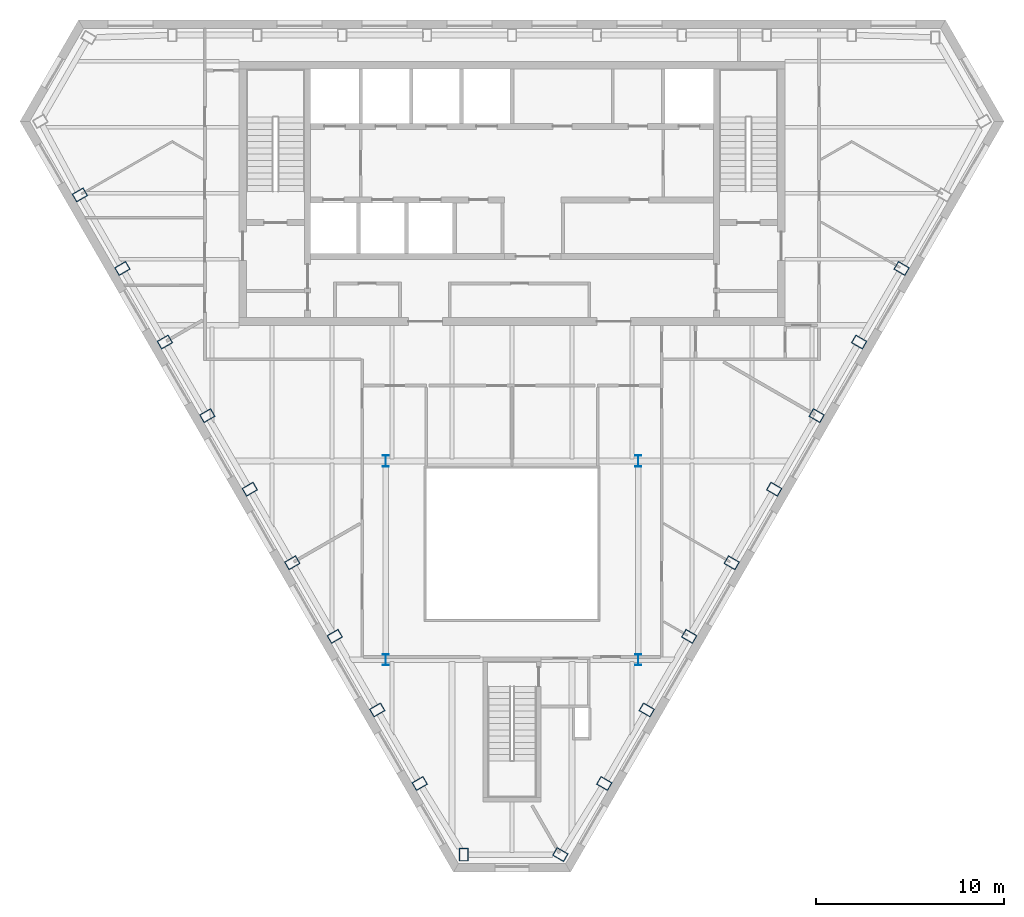
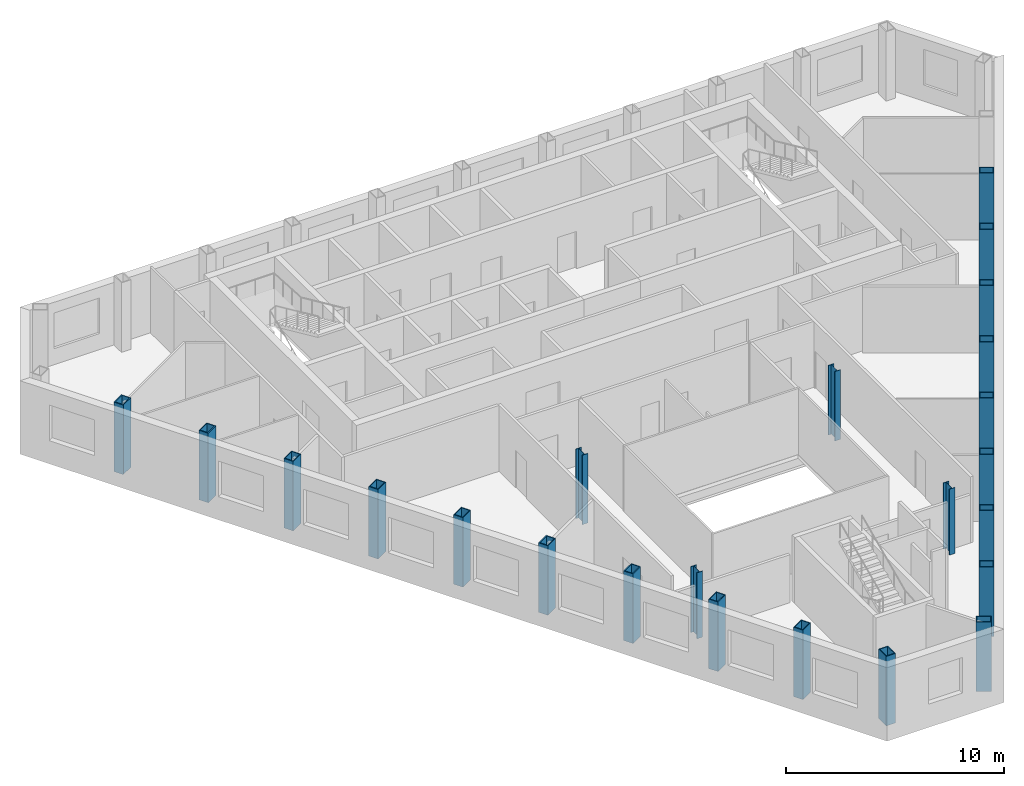
# One storey, part 1 of 10: 23 columns.
"""IFC4 building model written with IfcOpenShell, lengths in metres."""

from ifc_helpers import new_model, si_unit, direction, frame, origin, origin_2d, place, context, subcontext, project, spatial, hollow_rectangle, i_section, extrude, material, material_profile, profile_set, type_object, element, save


model = new_model("IFC4")

# Units and contexts
model_context = context("Model", 3, precision=1e-05, world=origin(), true_north=direction((0.0, 1.0)))
body_context = subcontext(model_context, "Body", "Model", "MODEL_VIEW")
ifc_project = project(units=[si_unit("LENGTHUNIT", "METRE"), si_unit("AREAUNIT", "SQUARE_METRE"), si_unit("VOLUMEUNIT", "CUBIC_METRE"), si_unit("PLANEANGLEUNIT", "RADIAN"), si_unit("MASSUNIT", "GRAM", prefix="KILO")], contexts=[model_context])

# Site, building, storey
site_placement = place(None, origin())
site = spatial("IfcSite", under=ifc_project, at=site_placement, CompositionType="ELEMENT")
building_placement = place(site_placement, origin())
building = spatial("IfcBuilding", under=site, at=building_placement, Name="Njiva Tower", CompositionType="ELEMENT")
storey_placement = place(building_placement, frame((0.0, 0.0, 253.2)))
storey = spatial("IfcBuildingStorey", under=building, at=storey_placement, Name="L57", CompositionType="ELEMENT", Elevation=253.2)

# Columns
ifc_material = material(Name="Steel S355 J2", Category="steel")
ifc_material_profile_1 = material_profile(ifc_material, hollow_rectangle(XDim=0.5, YDim=0.7, WallThickness=0.045, at=origin_2d()), Name="BOX 700x500x45")
ifc_profile_set_1 = profile_set([ifc_material_profile_1], Name="Steel S355 J2")
column_type_1 = type_object("IfcColumnType", Name="C13 Perimeter tube column BOX 700x500x45", PredefinedType="COLUMN", material=ifc_profile_set_1)
for number, where, z_axis, x_axis, name in (
    (1, (-22.932, 10.917, 0.0), (0.0, 0.0, 1.0), (0.5, -0.866025403784, 0.0), "Perimeter tube column S18-C13"),
    (2, (-20.678, 7.013, 0.0), (0.0, 0.0, 1.0), (0.5, -0.866025403784, 0.0), "Perimeter tube column S18-C14"),
    (3, (-18.423, 3.108, 0.0), (0.0, 0.0, 1.0), (0.5, -0.866025403784, 0.0), "Perimeter tube column S18-C15"),
    (4, (-16.169, -0.796, 0.0), (0.0, 0.0, 1.0), (0.5, -0.866025403784, 0.0), "Perimeter tube column S18-C16"),
    (5, (-13.915, -4.701, 0.0), (0.0, 0.0, 1.0), (0.5, -0.866025403784, 0.0), "Perimeter tube column S18-C17"),
    (6, (-11.66, -8.606, 0.0), (0.0, 0.0, 1.0), (0.5, -0.866025403784, 0.0), "Perimeter tube column S18-C18"),
    (7, (-9.406, -12.51, 0.0), (0.0, 0.0, 1.0), (0.5, -0.866025403784, 0.0), "Perimeter tube column S18-C19"),
    (8, (-7.152, -16.415, 0.0), (0.0, 0.0, 1.0), (0.5, -0.866025403784, 0.0), "Perimeter tube column S18-C20"),
    (9, (-4.897, -20.319, 0.0), (0.0, 0.0, 1.0), (0.5, -0.866025403784, 0.0), "Perimeter tube column S18-C21"),
    (10, (-2.566, -24.091, 0.0), (0.0, 0.0, 1.0), (1.0, 0.0, 0.0), "Perimeter tube column S18-C22"),
    (11, (2.566, -24.091, 0.0), (0.0, 0.0, 1.0), (0.5, 0.866025403784, 0.0), "Perimeter tube column S18-C23"),
    (12, (4.897, -20.319, 0.0), (0.0, 0.0, 1.0), (0.5, 0.866025403784, 0.0), "Perimeter tube column S18-C24"),
    (13, (7.152, -16.415, 0.0), (0.0, 0.0, 1.0), (0.5, 0.866025403784, 0.0), "Perimeter tube column S18-C25"),
    (14, (9.406, -12.51, 0.0), (0.0, 0.0, 1.0), (0.5, 0.866025403784, 0.0), "Perimeter tube column S18-C26"),
    (15, (11.66, -8.606, 0.0), (0.0, 0.0, 1.0), (0.5, 0.866025403784, 0.0), "Perimeter tube column S18-C27"),
    (16, (13.915, -4.701, 0.0), (0.0, 0.0, 1.0), (0.5, 0.866025403784, 0.0), "Perimeter tube column S18-C28"),
    (17, (16.169, -0.796, 0.0), (0.0, 0.0, 1.0), (0.5, 0.866025403784, 0.0), "Perimeter tube column S18-C29"),
    (18, (18.423, 3.108, 0.0), (0.0, 0.0, 1.0), (0.5, 0.866025403784, 0.0), "Perimeter tube column S18-C30"),
    (19, (20.678, 7.013, 0.0), (0.0, 0.0, 1.0), (0.5, 0.866025403784, 0.0), "Perimeter tube column S18-C31"),
):
    element("IfcColumn", number, at=place(storey_placement, frame(where, z_axis=z_axis, x_axis=x_axis)), inside=storey, type_object=column_type_1, Name=name, PredefinedType="COLUMN", context=body_context, shape_type="SweptSolid", body=[
        extrude(hollow_rectangle(XDim=0.5, YDim=0.7, WallThickness=0.045, at=origin_2d()), origin(), (0.0, 0.0, 1.0), 3.9),
    ])
ifc_material_profile_2 = material_profile(ifc_material, i_section(OverallWidth=0.3, OverallDepth=0.6, WebThickness=0.0155, FlangeThickness=0.03, at=origin_2d()), Name="HEB 600")
ifc_profile_set_2 = profile_set([ifc_material_profile_2], Name="Steel S355 J2")
column_type_2 = type_object("IfcColumnType", Name="C14 Interior column HEB 600", PredefinedType="COLUMN", material=ifc_profile_set_2)
for number, where, z_axis, x_axis, name in (
    (20, (6.7, -3.2, 0.0), (0.0, 0.0, 1.0), (1.0, 0.0, 0.0), "Interior column S18-C34"),
    (21, (-6.7, -3.2, 0.0), (0.0, 0.0, 1.0), (1.0, 0.0, 0.0), "Interior column S18-C35"),
):
    element("IfcColumn", number, at=place(storey_placement, frame(where, z_axis=z_axis, x_axis=x_axis)), inside=storey, type_object=column_type_2, Name=name, PredefinedType="COLUMN", context=body_context, shape_type="SweptSolid", body=[
        extrude(i_section(OverallWidth=0.3, OverallDepth=0.6, WebThickness=0.0155, FlangeThickness=0.03, at=origin_2d()), origin(), (0.0, 0.0, 1.0), 3.9),
    ])
for number, where, z_axis, x_axis, name in (
    (22, (6.7, -13.75, 0.0), (0.0, 0.0, 1.0), (1.0, 0.0, 0.0), "Interior column S18-C36"),
    (23, (-6.7, -13.75, 0.0), (0.0, 0.0, 1.0), (1.0, 0.0, 0.0), "Interior column S18-C37"),
):
    element("IfcColumn", number, at=place(storey_placement, frame(where, z_axis=z_axis, x_axis=x_axis)), inside=storey, type_object=column_type_2, Name=name, PredefinedType="COLUMN", context=body_context, shape_type="SweptSolid", body=[
        extrude(i_section(OverallWidth=0.3, OverallDepth=0.6, WebThickness=0.0155, FlangeThickness=0.03, at=origin_2d()), origin(), (0.0, 0.0, 1.0), 3.7),
    ])

save(model, "model.ifc")
